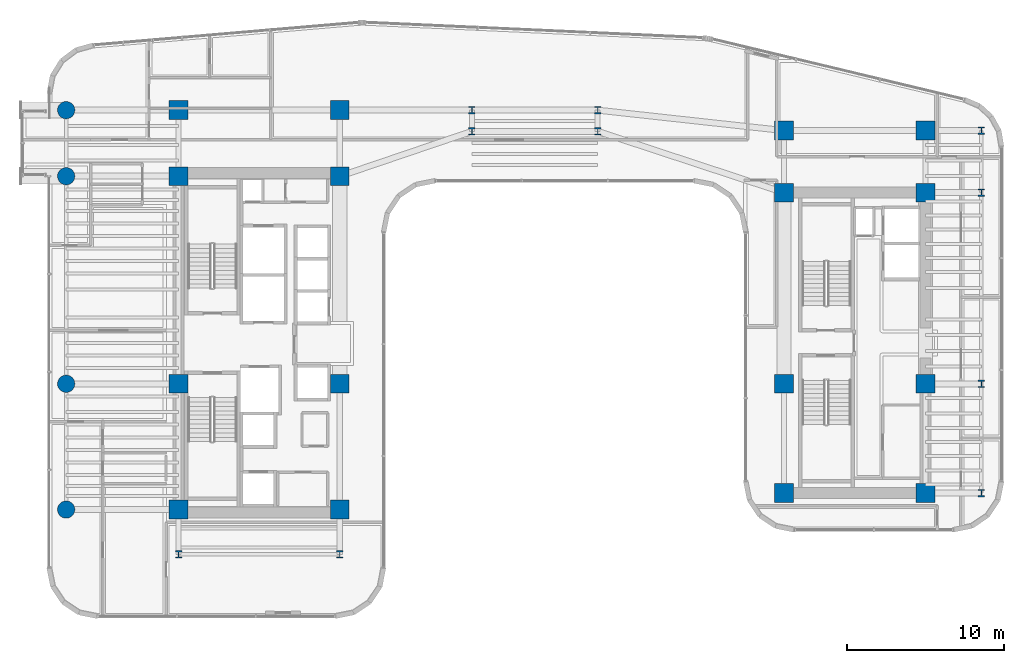
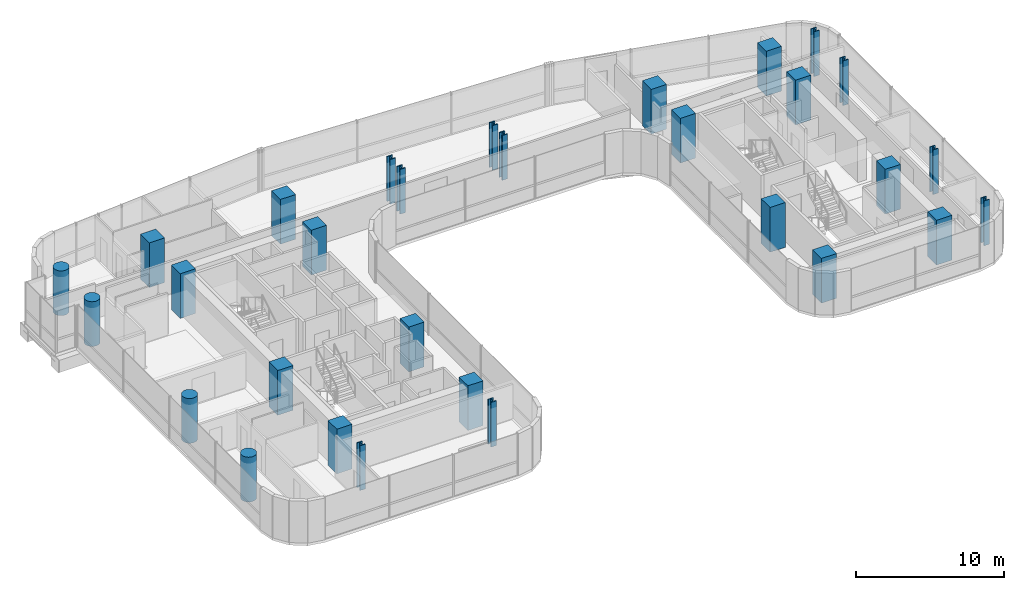
# One storey, part 1 of 35: 30 columns.
"""IFC4 building model written with IfcOpenShell, lengths in metres."""

from ifc_helpers import new_model, si_unit, direction, frame, origin, origin_2d, place, context, subcontext, project, spatial, rectangle, circle, i_section, extrude, source, transform, mapped, material, material_profile, profile_set, type_object, element, save


model = new_model("IFC4")

# Units and contexts
model_context = context("Model", 3, precision=1e-05, world=origin(), true_north=direction((0.0, 1.0)))
body_context = subcontext(model_context, "Body", "Model", "MODEL_VIEW")
ifc_project = project(units=[si_unit("LENGTHUNIT", "METRE"), si_unit("AREAUNIT", "SQUARE_METRE"), si_unit("VOLUMEUNIT", "CUBIC_METRE"), si_unit("PLANEANGLEUNIT", "RADIAN"), si_unit("MASSUNIT", "GRAM", prefix="KILO")], contexts=[model_context])

# Site, building, storey
site_placement = place(None, origin())
site = spatial("IfcSite", under=ifc_project, at=site_placement, CompositionType="ELEMENT")
building_placement = place(site_placement, origin())
building = spatial("IfcBuilding", under=site, at=building_placement, Name="Valdorenza Pilgrim Sanctuary Tower", CompositionType="ELEMENT")
storey_placement = place(building_placement, frame((0.0, 0.0, 150.10009765625)))
storey = spatial("IfcBuildingStorey", under=building, at=storey_placement, Name="L38", CompositionType="ELEMENT", Elevation=150.10009765625)

# Columns
ifc_material_1 = material(Name="Concrete C50/60", Category="concrete")
ifc_material_profile_1 = material_profile(ifc_material_1, circle(Radius=0.550048828125, at=origin_2d()), Name="RC D1100")
ifc_profile_set_1 = profile_set([ifc_material_profile_1], Name="Concrete C50/60")
column_type_1 = type_object("IfcColumnType", Name="COL-RND-1100", PredefinedType="COLUMN", material=ifc_profile_set_1)
shared_shape_1 = source(origin(), body_context, "Body", "SweptSolid", [
    extrude(circle(Radius=0.550048828125, at=origin_2d()), origin(), (0.0, 0.0, 1.0), 3.699951171875),
])
for number, where, z_axis, x_axis, name in (
    (1, (-29.800048828125, -10.60009765625, 0.0), (0.0, 0.0, 1.0), (1.0, 0.0, 0.0), "L38 Perimeter Column WA-W-S1"),
    (2, (-29.800048828125, -2.60009765625, 0.0), (0.0, 0.0, 1.0), (1.0, 0.0, 0.0), "L38 Perimeter Column WA-W-M0"),
    (3, (-29.800048828125, 10.60009765625, 0.0), (0.0, 0.0, 1.0), (1.0, 0.0, 0.0), "L38 Perimeter Column WA-W-N1"),
    (4, (-29.800048828125, 14.800048828125, 0.0), (0.0, 0.0, 1.0), (1.0, 0.0, 0.0), "L38 Perimeter Column WA-W-N2"),
):
    element("IfcColumn", number, at=place(storey_placement, frame(where, z_axis=z_axis, x_axis=x_axis)), inside=storey, type_object=column_type_1, Name=name, PredefinedType="COLUMN", context=body_context, shape_type="MappedRepresentation", body=[
        mapped(shared_shape_1, transform((0.0, 0.0, 0.0), x_axis=(1.0, 0.0, 0.0), y_axis=(0.0, 1.0, 0.0), z_axis=(0.0, 0.0, 1.0), scale=1.0)),
    ])
ifc_material_2 = material(Name="Concrete C60/75", Category="concrete")
ifc_material_profile_2 = material_profile(ifc_material_2, rectangle(XDim=1.199951171875, YDim=1.199951171875, at=origin_2d()), Name="RC 1200x1200")
ifc_profile_set_2 = profile_set([ifc_material_profile_2], Name="Concrete C60/75")
column_type_2 = type_object("IfcColumnType", Name="COL-Z2-1200", PredefinedType="COLUMN", material=ifc_profile_set_2)
shared_shape_2 = source(origin(), body_context, "Body", "SweptSolid", [
    extrude(rectangle(XDim=1.199951171875, YDim=1.199951171875, at=origin_2d()), origin(), (0.0, 0.0, 1.0), 3.699951171875),
])
for number, where, z_axis, x_axis, name in (
    (5, (-22.64990234375, -10.60009765625, 0.0), (0.0, 0.0, 1.0), (1.0, 0.0, 0.0), "L38 Column CA-W-S1"),
    (6, (-12.39990234375, -10.60009765625, 0.0), (0.0, 0.0, 1.0), (1.0, 0.0, 0.0), "L38 Column CA-E-S1"),
    (7, (-22.64990234375, -2.60009765625, 0.0), (0.0, 0.0, 1.0), (1.0, 0.0, 0.0), "L38 Column CA-W-M0"),
    (8, (-12.39990234375, -2.60009765625, 0.0), (0.0, 0.0, 1.0), (1.0, 0.0, 0.0), "L38 Column CA-E-M0"),
    (9, (-22.64990234375, 10.60009765625, 0.0), (0.0, 0.0, 1.0), (1.0, 0.0, 0.0), "L38 Column CA-W-N1"),
    (10, (-12.39990234375, 10.60009765625, 0.0), (0.0, 0.0, 1.0), (1.0, 0.0, 0.0), "L38 Column CA-E-N1"),
    (11, (-22.64990234375, 14.800048828125, 0.0), (0.0, 0.0, 1.0), (1.0, 0.0, 0.0), "L38 Column CA-W-N2"),
    (12, (-12.39990234375, 14.800048828125, 0.0), (0.0, 0.0, 1.0), (1.0, 0.0, 0.0), "L38 Column CA-E-N2"),
    (13, (15.85009765625, -9.550048828125, 0.0), (0.0, 0.0, 1.0), (1.0, 0.0, 0.0), "L38 Column CB-W-S1"),
    (14, (24.85009765625, -9.550048828125, 0.0), (0.0, 0.0, 1.0), (1.0, 0.0, 0.0), "L38 Column CB-E-S1"),
    (15, (15.85009765625, -2.60009765625, 0.0), (0.0, 0.0, 1.0), (1.0, 0.0, 0.0), "L38 Column CB-W-M0"),
    (16, (24.85009765625, -2.60009765625, 0.0), (0.0, 0.0, 1.0), (1.0, 0.0, 0.0), "L38 Column CB-E-M0"),
    (17, (15.85009765625, 9.550048828125, 0.0), (0.0, 0.0, 1.0), (1.0, 0.0, 0.0), "L38 Column CB-W-N1"),
    (18, (24.85009765625, 9.550048828125, 0.0), (0.0, 0.0, 1.0), (1.0, 0.0, 0.0), "L38 Column CB-E-N1"),
    (19, (15.85009765625, 13.5, 0.0), (0.0, 0.0, 1.0), (1.0, 0.0, 0.0), "L38 Column CB-W-N2"),
    (20, (24.85009765625, 13.5, 0.0), (0.0, 0.0, 1.0), (1.0, 0.0, 0.0), "L38 Column CB-E-N2"),
):
    element("IfcColumn", number, at=place(storey_placement, frame(where, z_axis=z_axis, x_axis=x_axis)), inside=storey, type_object=column_type_2, Name=name, PredefinedType="COLUMN", context=body_context, shape_type="MappedRepresentation", body=[
        mapped(shared_shape_2, transform((0.0, 0.0, 0.0), x_axis=(1.0, 0.0, 0.0), y_axis=(0.0, 1.0, 0.0), z_axis=(0.0, 0.0, 1.0), scale=1.0)),
    ])
ifc_material_3 = material(Name="Steel ASTM A992 Grade 50", Category="steel")
ifc_material_profile_3 = material_profile(ifc_material_3, i_section(OverallWidth=0.424072265625, OverallDepth=0.47412109375, WebThickness=0.047607421875, FlangeThickness=0.0771484375, at=origin_2d()), Name="W14X426")
ifc_profile_set_3 = profile_set([ifc_material_profile_3], Name="Steel ASTM A992 Grade 50")
column_type_3 = type_object("IfcColumnType", Name="COL-STL-W426", PredefinedType="COLUMN", material=ifc_profile_set_3)
shared_shape_3 = source(origin(), body_context, "Body", "SweptSolid", [
    extrude(i_section(OverallWidth=0.424072265625, OverallDepth=0.47412109375, WebThickness=0.047607421875, FlangeThickness=0.0771484375, at=origin_2d()), origin(), (0.0, 0.0, 1.0), 3.699951171875),
])
for number, where, z_axis, x_axis, name in (
    (21, (-22.64990234375, -13.449951171875, 0.0), (0.0, 0.0, 1.0), (1.0, 0.0, 0.0), "L38 Column WA-S-W"),
    (22, (-12.39990234375, -13.449951171875, 0.0), (0.0, 0.0, 1.0), (1.0, 0.0, 0.0), "L38 Column WA-S-E"),
    (23, (28.39990234375, -9.550048828125, 0.0), (0.0, 0.0, 1.0), (1.0, 0.0, 0.0), "L38 Perimeter Column WB-E-S1"),
    (24, (28.39990234375, -2.60009765625, 0.0), (0.0, 0.0, 1.0), (1.0, 0.0, 0.0), "L38 Perimeter Column WB-E-M0"),
    (25, (28.39990234375, 9.550048828125, 0.0), (0.0, 0.0, 1.0), (1.0, 0.0, 0.0), "L38 Perimeter Column WB-E-N1"),
    (26, (28.39990234375, 13.5, 0.0), (0.0, 0.0, 1.0), (1.0, 0.0, 0.0), "L38 Perimeter Column WB-E-N2"),
    (27, (-4.0, 13.449951171875, 0.0), (0.0, 0.0, 1.0), (1.0, 0.0, 0.0), "L38 Column KNK-W1"),
    (28, (-4.0, 14.800048828125, 0.0), (0.0, 0.0, 1.0), (1.0, 0.0, 0.0), "L38 Column KNK-W2"),
    (29, (4.0, 13.449951171875, 0.0), (0.0, 0.0, 1.0), (1.0, 0.0, 0.0), "L38 Column KNK-E1"),
    (30, (4.0, 14.800048828125, 0.0), (0.0, 0.0, 1.0), (1.0, 0.0, 0.0), "L38 Column KNK-E2"),
):
    element("IfcColumn", number, at=place(storey_placement, frame(where, z_axis=z_axis, x_axis=x_axis)), inside=storey, type_object=column_type_3, Name=name, PredefinedType="COLUMN", context=body_context, shape_type="MappedRepresentation", body=[
        mapped(shared_shape_3, transform((0.0, 0.0, 0.0), x_axis=(1.0, 0.0, 0.0), y_axis=(0.0, 1.0, 0.0), z_axis=(0.0, 0.0, 1.0), scale=1.0)),
    ])

save(model, "model.ifc")
